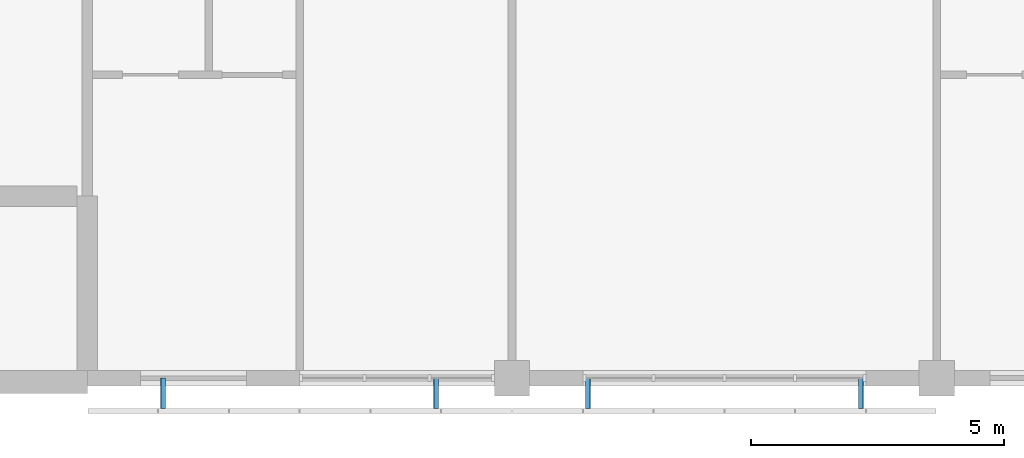
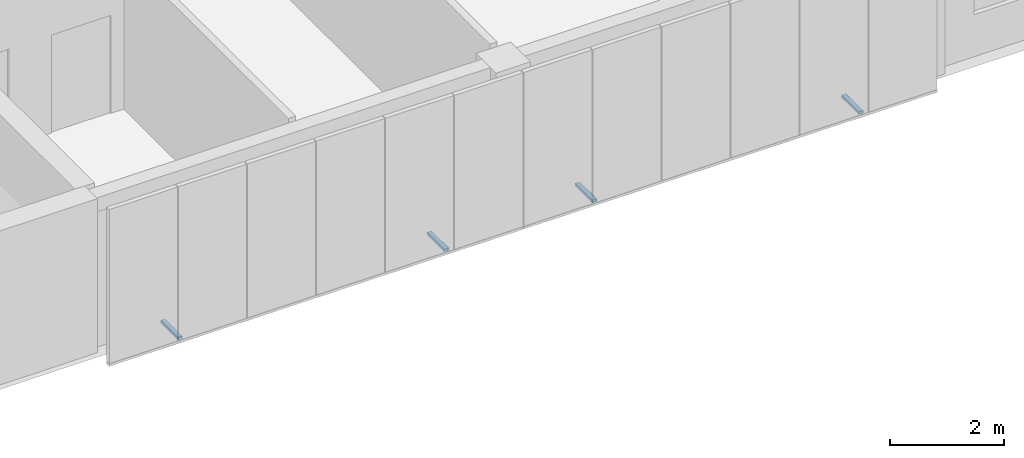
# One storey, part 43 of 48: 4 discrete accessories.
"""IFC4 building model written with IfcOpenShell, lengths in metres."""

from ifc_helpers import new_model, si_unit, direction, frame, origin, origin_2d, place, context, subcontext, project, spatial, hollow_rectangle, extrude, material, material_profile, profile_set, type_object, element, save


model = new_model("IFC4")

# Units and contexts
model_context = context("Model", 3, precision=1e-05, world=origin(), true_north=direction((0.0, 1.0)))
body_context = subcontext(model_context, "Body", "Model", "MODEL_VIEW")
ifc_project = project(units=[si_unit("LENGTHUNIT", "METRE"), si_unit("AREAUNIT", "SQUARE_METRE"), si_unit("VOLUMEUNIT", "CUBIC_METRE"), si_unit("PLANEANGLEUNIT", "RADIAN"), si_unit("MASSUNIT", "GRAM", prefix="KILO")], contexts=[model_context])

# Site, building, storey
site_placement = place(None, origin())
site = spatial("IfcSite", under=ifc_project, at=site_placement, CompositionType="ELEMENT")
building_placement = place(site_placement, origin())
building = spatial("IfcBuilding", under=site, at=building_placement, Name="Yavir Park General Hospital", CompositionType="ELEMENT")
storey_placement = place(building_placement, frame((0.0, 0.0, 26.10009765625)))
storey = spatial("IfcBuildingStorey", under=building, at=storey_placement, Name="L06", CompositionType="ELEMENT", Elevation=26.10009765625)

# Discrete accessories
ifc_material = material(Name="Steel S355", Category="steel")
ifc_material_profile = material_profile(ifc_material, hollow_rectangle(XDim=0.10009765625, YDim=0.06005859375, WallThickness=0.006103515625, InnerFilletRadius=0.006103515625, OuterFilletRadius=0.011962890625, at=origin_2d()), Name="RHS60x100x6")
ifc_profile_set = profile_set([ifc_material_profile], Name="Steel S355")
discrete_accessory_type = type_object("IfcDiscreteAccessoryType", Name="Screen bracket RHS 60 x 100", PredefinedType="BRACKET", material=ifc_profile_set)
for number, where, z_axis, x_axis, name in (
    (1, (144.300048828125, 0.0, -0.030029296875), (0.0, -1.0, 0.0), (1.0, 0.0, 0.0), "Screen bracket S18.4.1"),
    (2, (149.699951171875, 0.0, -0.030029296875), (0.0, -1.0, 0.0), (1.0, 0.0, 0.0), "Screen bracket S18.4.2"),
    (3, (152.699951171875, 0.0, -0.030029296875), (0.0, -1.0, 0.0), (1.0, 0.0, 0.0), "Screen bracket S19.4.1"),
    (4, (158.10009765625, 0.0, -0.030029296875), (0.0, -1.0, 0.0), (1.0, 0.0, 0.0), "Screen bracket S19.4.2"),
):
    element("IfcDiscreteAccessory", number, at=place(storey_placement, frame(where, z_axis=z_axis, x_axis=x_axis)), inside=storey, type_object=discrete_accessory_type, Name=name, PredefinedType="BRACKET", context=body_context, shape_type="SweptSolid", body=[
        extrude(hollow_rectangle(XDim=0.10009765625, YDim=0.06005859375, WallThickness=0.006103515625, InnerFilletRadius=0.006103515625, OuterFilletRadius=0.011962890625, at=origin_2d()), origin(), (0.0, 0.0, 1.0), 0.60009765625),
    ])

save(model, "model.ifc")
